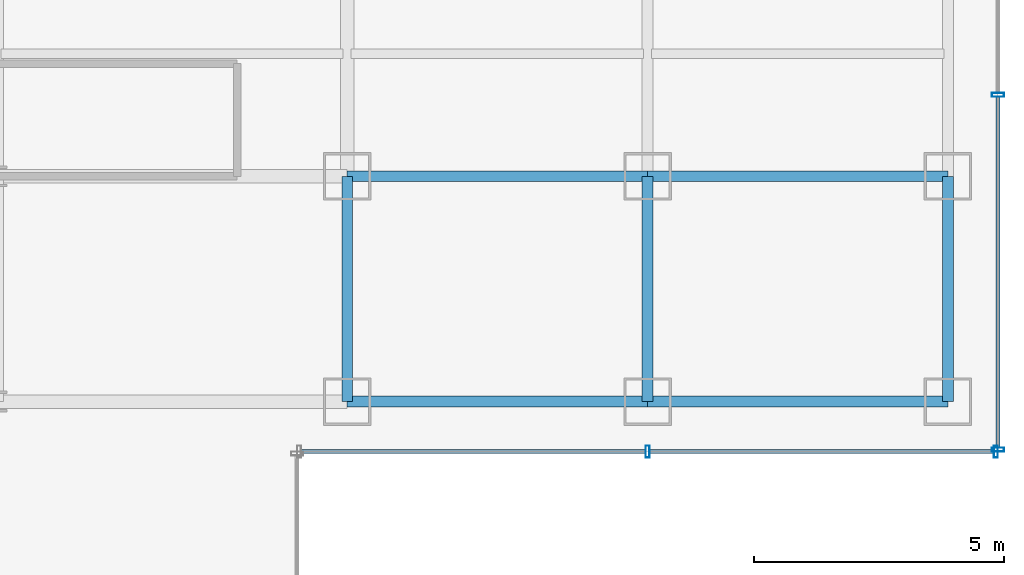
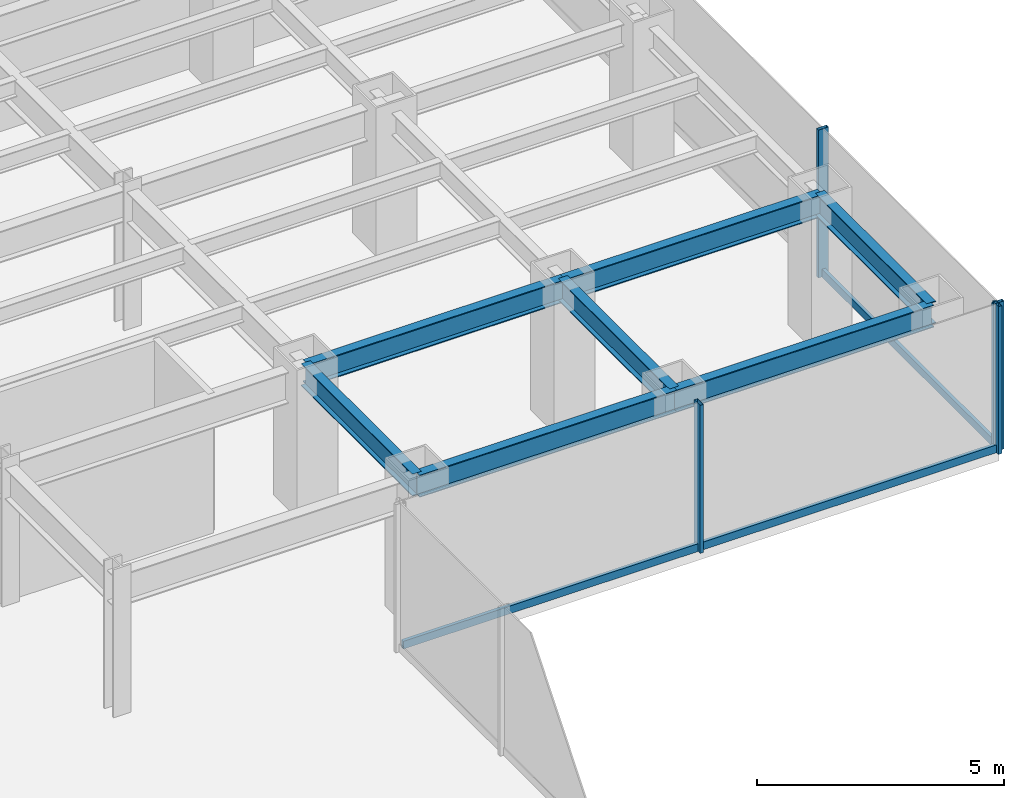
# One storey, part 7 of 22: 7 beams, 7 members, 2 elements without a shape of their own.
"""IFC4 building model written with IfcOpenShell, lengths in metres."""

from ifc_helpers import new_model, si_unit, derived_unit, direction, frame, origin, origin_2d, place, context, subcontext, project, spatial, hollow_rectangle, i_section, extrude, source, transform, mapped, material, material_profile, profile_set, type_object, element, aggregate, save


model = new_model("IFC4")

# Units and contexts
model_context = context("Model", 3, precision=1e-05, world=origin(), true_north=direction((0.0, 1.0)))
body_context = subcontext(model_context, "Body", "Model", "MODEL_VIEW")
ifc_project = project(units=[si_unit("LENGTHUNIT", "METRE"), si_unit("AREAUNIT", "SQUARE_METRE"), si_unit("VOLUMEUNIT", "CUBIC_METRE"), si_unit("PLANEANGLEUNIT", "RADIAN"), si_unit("MASSUNIT", "GRAM", prefix="KILO"), derived_unit("THERMALTRANSMITTANCEUNIT", [(si_unit("POWERUNIT", "WATT"), 1), (si_unit("LENGTHUNIT", "METRE"), -2), (si_unit("THERMODYNAMICTEMPERATUREUNIT", "KELVIN"), -1)])], contexts=[model_context])

# Site, building, storey
site_placement = place(None, origin())
site = spatial("IfcSite", under=ifc_project, at=site_placement, CompositionType="ELEMENT")
building_placement = place(site_placement, origin())
building = spatial("IfcBuilding", under=site, at=building_placement, Name="Skarnbrae Concourse Arena and Tower", CompositionType="ELEMENT")
storey_placement = place(building_placement, frame((0.0, 0.0, 36.14990234375)))
storey = spatial("IfcBuildingStorey", under=building, at=storey_placement, Name="L07", CompositionType="ELEMENT", Elevation=36.14990234375)

# Beams
ifc_material_1 = material(Name="Steel CSA G40.21 350W", Category="steel")
ifc_material_profile_1 = material_profile(ifc_material_1, i_section(OverallWidth=0.214111328125, OverallDepth=0.549072265625, WebThickness=0.0146484375, FlangeThickness=0.023681640625, at=origin_2d()), Name="W530X138")
ifc_profile_set_1 = profile_set([ifc_material_profile_1], Name="Steel CSA G40.21 350W")
beam_type = type_object("IfcBeamType", Name="BM-SPAN-W530X138", PredefinedType="SPANDREL", material=ifc_profile_set_1)
shared_shape_1 = source(origin(), body_context, "Body", "SweptSolid", [
    extrude(i_section(OverallWidth=0.214111328125, OverallDepth=0.549072265625, WebThickness=0.0146484375, FlangeThickness=0.023681640625, at=origin_2d()), origin(), (0.0, 0.0, 1.0), 6.0),
])
for number, where, z_axis, x_axis, name in (
    (1, (49.0, 9.5, 3.12548828125), (1.0, 0.0, 0.0), (0.0, 1.0, 0.0), "L07 Perimeter spandrel Y9.5-3"),
    (2, (55.0, 9.5, 3.12548828125), (1.0, 0.0, 0.0), (0.0, 1.0, 0.0), "L07 Perimeter spandrel Y9.5-4"),
    (3, (49.0, 14.0, 3.12548828125), (1.0, 0.0, 0.0), (0.0, 1.0, 0.0), "L07 Perimeter spandrel Y14.0-8"),
    (4, (55.0, 14.0, 3.12548828125), (1.0, 0.0, 0.0), (0.0, 1.0, 0.0), "L07 Perimeter spandrel Y14.0-9"),
):
    element("IfcBeam", number, at=place(storey_placement, frame(where, z_axis=z_axis, x_axis=x_axis)), inside=storey, type_object=beam_type, Name=name, PredefinedType="SPANDREL", context=body_context, shape_type="MappedRepresentation", body=[
        mapped(shared_shape_1, transform((0.0, 0.0, 0.0))),
    ])
shared_shape_2 = source(origin(), body_context, "Body", "SweptSolid", [
    extrude(i_section(OverallWidth=0.214111328125, OverallDepth=0.549072265625, WebThickness=0.0146484375, FlangeThickness=0.023681640625, at=origin_2d()), origin(), (0.0, 0.0, 1.0), 4.5),
])
for number, where, z_axis, x_axis, name in (
    (5, (49.0, 9.5, 3.12548828125), (0.0, 1.0, 0.0), (-1.0, 0.0, 0.0), "L07 Perimeter spandrel X49.0-1"),
    (6, (55.0, 9.5, 3.12548828125), (0.0, 1.0, 0.0), (-1.0, 0.0, 0.0), "L07 Perimeter spandrel X55.0-1"),
    (7, (61.0, 9.5, 3.12548828125), (0.0, 1.0, 0.0), (-1.0, 0.0, 0.0), "L07 Perimeter spandrel X61.0-1"),
):
    element("IfcBeam", number, at=place(storey_placement, frame(where, z_axis=z_axis, x_axis=x_axis)), inside=storey, type_object=beam_type, Name=name, PredefinedType="SPANDREL", context=body_context, shape_type="MappedRepresentation", body=[
        mapped(shared_shape_2, transform((0.0, 0.0, 0.0))),
    ])

# Curtain wall, members
ifc_material_2 = material(Name="Bronze anodised aluminium 6063-T6", Category="aluminium")
curtain_wall_type = type_object("IfcCurtainWallType", Name="CW-SYS-02-LOWZONE", PredefinedType="USERDEFINED", material=ifc_material_2)
curtain_wall_1_placement = place(storey_placement, origin())
curtain_wall_1 = element("IfcCurtainWall", 8, at=curtain_wall_1_placement, inside=storey, type_object=curtain_wall_type, Name="L07 Unitised curtain wall CW-L07-E03", ObjectType="UNITISED CURTAIN WALL", PredefinedType="USERDEFINED")
ifc_material_profile_2 = material_profile(ifc_material_2, hollow_rectangle(XDim=0.080078125, YDim=0.18994140625, WallThickness=0.0048828125, at=origin_2d()), Name="ALU-TRAN-80X190")
ifc_profile_set_2 = profile_set([ifc_material_profile_2], Name="Bronze anodised aluminium 6063-T6")
member_type_1 = type_object("IfcMemberType", Name="CWT-CW-02", PredefinedType="USERDEFINED", material=ifc_profile_set_2)
shared_shape_3 = source(origin(), body_context, "Body", "SweptSolid", [
    extrude(hollow_rectangle(XDim=0.080078125, YDim=0.18994140625, WallThickness=0.0048828125, at=origin_2d()), origin(), (0.0, 0.0, 1.0), 6.8798828125),
])
member_1_placement = place(storey_placement, frame((48.080078125, 8.5, 0.09521484375), z_axis=(1.0, 0.0, 0.0), x_axis=(0.0, 1.0, 0.0)))
member_1 = element("IfcMember", 9, at=member_1_placement, type_object=member_type_1, Name="CW-L07-E03 Transom 1", ObjectType="TRANSOM", PredefinedType="USERDEFINED", context=body_context, shape_type="MappedRepresentation", body=[
    mapped(shared_shape_3, transform((0.0, 0.0, 0.0))),
])
member_2_placement = place(storey_placement, frame((55.0400390625, 8.5, 0.09521484375), z_axis=(1.0, 0.0, 0.0), x_axis=(0.0, 1.0, 0.0)))
member_2 = element("IfcMember", 10, at=member_2_placement, type_object=member_type_1, Name="CW-L07-E03 Transom 2", ObjectType="TRANSOM", PredefinedType="USERDEFINED", context=body_context, shape_type="MappedRepresentation", body=[
    mapped(shared_shape_3, transform((0.0, 0.0, 0.0))),
])

# Curtain wall, member
curtain_wall_2_placement = place(storey_placement, origin())
curtain_wall_2 = element("IfcCurtainWall", 11, at=curtain_wall_2_placement, inside=storey, type_object=curtain_wall_type, Name="L07 Unitised curtain wall CW-L07-E04", ObjectType="UNITISED CURTAIN WALL", PredefinedType="USERDEFINED")
shared_shape_4 = source(origin(), body_context, "Body", "SweptSolid", [
    extrude(hollow_rectangle(XDim=0.080078125, YDim=0.18994140625, WallThickness=0.0048828125, at=origin_2d()), origin(), (0.0, 0.0, 1.0), 7.0048828125),
])
member_3_placement = place(storey_placement, frame((62.0, 8.580078125, 0.09521484375), z_axis=(0.0, 1.0, 0.0), x_axis=(-1.0, 0.0, 0.0)))
member_3 = element("IfcMember", 12, at=member_3_placement, type_object=member_type_1, Name="CW-L07-E04 Transom 1", ObjectType="TRANSOM", PredefinedType="USERDEFINED", context=body_context, shape_type="MappedRepresentation", body=[
    mapped(shared_shape_4, transform((0.0, 0.0, 0.0))),
])

# Member
ifc_material_profile_3 = material_profile(ifc_material_2, hollow_rectangle(XDim=0.080078125, YDim=0.239990234375, WallThickness=0.0048828125, at=origin_2d()), Name="ALU-MULL-80X240")
ifc_profile_set_3 = profile_set([ifc_material_profile_3], Name="Bronze anodised aluminium 6063-T6")
member_type_2 = type_object("IfcMemberType", Name="CWM-CW-02", PredefinedType="MULLION", material=ifc_profile_set_3)
shared_shape_5 = source(origin(), body_context, "Body", "SweptSolid", [
    extrude(hollow_rectangle(XDim=0.080078125, YDim=0.239990234375, WallThickness=0.0048828125, at=origin_2d()), origin(), (0.0, 0.0, 1.0), 3.650146484375),
])
member_4_placement = place(storey_placement, frame((55.0, 8.5, 0.0), z_axis=(0.0, 0.0, 1.0), x_axis=(1.0, 0.0, 0.0)))
member_4 = element("IfcMember", 13, at=member_4_placement, type_object=member_type_2, Name="CW-L07-E03 Mullion 2", PredefinedType="MULLION", context=body_context, shape_type="MappedRepresentation", body=[
    mapped(shared_shape_5, transform((0.0, 0.0, 0.0))),
])

member_5_placement = place(storey_placement, frame((61.9599609375, 8.5, 0.0), z_axis=(0.0, 0.0, 1.0), x_axis=(1.0, 0.0, 0.0)))
member_5 = element("IfcMember", 14, at=member_5_placement, type_object=member_type_2, Name="CW-L07-E03 Mullion 3", PredefinedType="MULLION", context=body_context, shape_type="MappedRepresentation", body=[
    mapped(shared_shape_5, transform((0.0, 0.0, 0.0))),
])

aggregate(curtain_wall_1, [member_4, member_5, member_1, member_2])

member_6_placement = place(storey_placement, frame((62.0, 8.5400390625, 0.0), z_axis=(0.0, 0.0, 1.0), x_axis=(0.0, 1.0, 0.0)))
member_6 = element("IfcMember", 15, at=member_6_placement, type_object=member_type_2, Name="CW-L07-E04 Mullion 1", PredefinedType="MULLION", context=body_context, shape_type="MappedRepresentation", body=[
    mapped(shared_shape_5, transform((0.0, 0.0, 0.0))),
])

member_7_placement = place(storey_placement, frame((62.0, 15.625, 0.0), z_axis=(0.0, 0.0, 1.0), x_axis=(0.0, 1.0, 0.0)))
member_7 = element("IfcMember", 16, at=member_7_placement, type_object=member_type_2, Name="CW-L07-E04 Mullion 2", PredefinedType="MULLION", context=body_context, shape_type="MappedRepresentation", body=[
    mapped(shared_shape_5, transform((0.0, 0.0, 0.0))),
])

aggregate(curtain_wall_2, [member_6, member_7, member_3])

save(model, "model.ifc")
